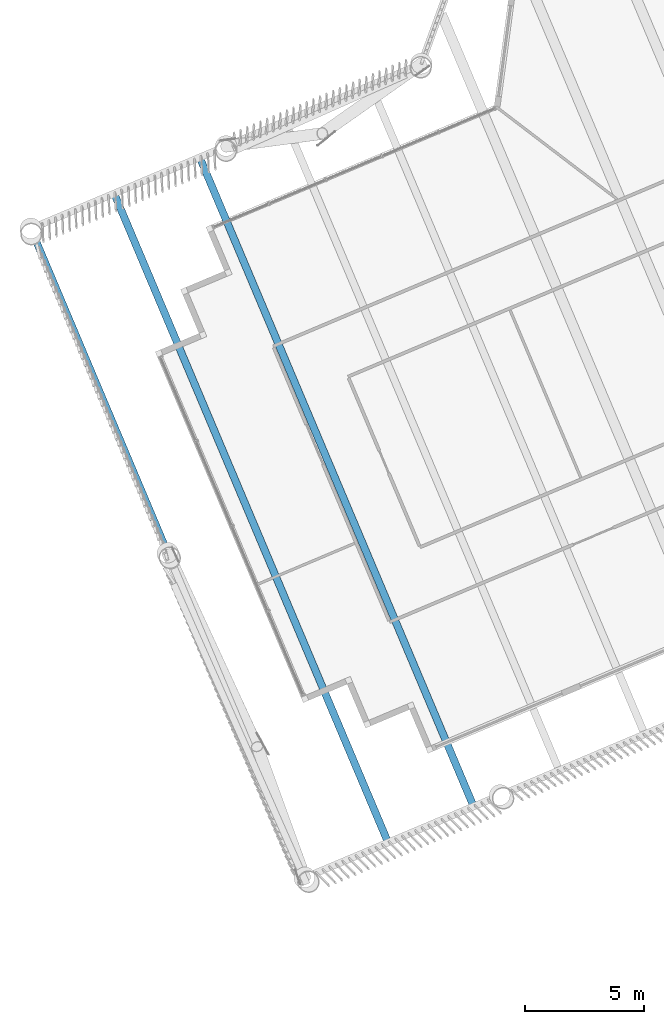
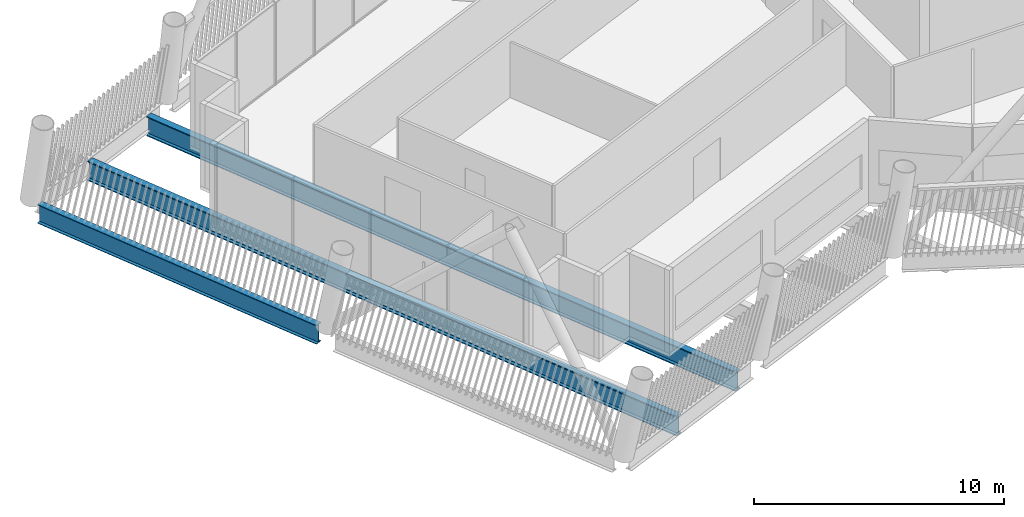
# One storey, part 5 of 35: 3 beams.
"""IFC4 building model written with IfcOpenShell, lengths in metres."""

from ifc_helpers import new_model, si_unit, direction, frame, origin, origin_2d, place, context, subcontext, project, spatial, i_section, extrude, material, material_profile, profile_set, type_object, element, save


model = new_model("IFC4")

# Units and contexts
model_context = context("Model", 3, precision=1e-05, world=origin(), true_north=direction((0.0, 1.0)))
body_context = subcontext(model_context, "Body", "Model", "MODEL_VIEW")
ifc_project = project(units=[si_unit("LENGTHUNIT", "METRE"), si_unit("AREAUNIT", "SQUARE_METRE"), si_unit("VOLUMEUNIT", "CUBIC_METRE"), si_unit("PLANEANGLEUNIT", "RADIAN"), si_unit("MASSUNIT", "GRAM", prefix="KILO")], contexts=[model_context])

# Site, building, storey
site_placement = place(None, origin())
site = spatial("IfcSite", under=ifc_project, at=site_placement, CompositionType="ELEMENT")
building_placement = place(site_placement, origin())
building = spatial("IfcBuilding", under=site, at=building_placement, Name="Tarsis Ring Headquarters", CompositionType="ELEMENT")
storey_placement = place(building_placement, frame((0.0, 0.0, 377.60009765625)))
storey = spatial("IfcBuildingStorey", under=building, at=storey_placement, Name="L89", CompositionType="ELEMENT", Elevation=377.60009765625)

# Beams
ifc_material = material(Name="Structural steel S355", Category="steel")
ifc_material_profile_1 = material_profile(ifc_material, i_section(OverallWidth=0.309814453125, OverallDepth=0.949951171875, WebThickness=0.0244140625, FlangeThickness=0.0439453125, at=origin_2d()), Name="W36x256")
ifc_profile_set_1 = profile_set([ifc_material_profile_1], Name="Structural steel S355")
beam_type_1 = type_object("IfcBeamType", Name="FB Floor beam W36x256", PredefinedType="JOIST", material=ifc_profile_set_1)
beam_1_placement = place(storey_placement, frame((-38.072265625, -0.0595703125, -0.635009765625), z_axis=(0.388801402091, -0.921321588661, 0.0), x_axis=(0.921321588661, 0.388801402091, 0.0)))
element("IfcBeam", 1, at=beam_1_placement, inside=storey, type_object=beam_type_1, Name="Floor beam FB11", PredefinedType="JOIST", context=body_context, shape_type="SweptSolid", body=[
    extrude(i_section(OverallWidth=0.309814453125, OverallDepth=0.949951171875, WebThickness=0.0244140625, FlangeThickness=0.0439453125, at=origin_2d()), origin(), (0.0, 0.0, 1.0), 29.4951171875),
])
beam_2_placement = place(storey_placement, frame((-41.66552734375, -1.575927734375, -0.635009765625), z_axis=(0.388808428108, -0.921318623622, 0.0), x_axis=(0.921318623622, 0.388808428108, 0.0)))
element("IfcBeam", 2, at=beam_2_placement, inside=storey, type_object=beam_type_1, Name="Floor beam FB11", PredefinedType="JOIST", context=body_context, shape_type="SweptSolid", body=[
    extrude(i_section(OverallWidth=0.309814453125, OverallDepth=0.949951171875, WebThickness=0.0244140625, FlangeThickness=0.0439453125, at=origin_2d()), origin(), (0.0, 0.0, 1.0), 29.495361328125),
])
ifc_material_profile_2 = material_profile(ifc_material, i_section(OverallWidth=0.3046875, OverallDepth=0.91943359375, WebThickness=0.017333984375, FlangeThickness=0.02783203125, at=origin_2d()), Name="W36x170")
ifc_profile_set_2 = profile_set([ifc_material_profile_2], Name="Structural steel S355")
beam_type_2 = type_object("IfcBeamType", Name="XG Ring girder W36x170", PredefinedType="BEAM", material=ifc_profile_set_2)
beam_3_placement = place(storey_placement, frame((-45.02685546875, -3.38427734375, -0.4599609375), z_axis=(0.38880105589, -0.921321734759, 0.0), x_axis=(0.921321734759, 0.38880105589, 0.0)))
element("IfcBeam", 3, at=beam_3_placement, inside=storey, type_object=beam_type_2, Name="Ring girder XG4", PredefinedType="BEAM", context=body_context, shape_type="SweptSolid", body=[
    extrude(i_section(OverallWidth=0.3046875, OverallDepth=0.91943359375, WebThickness=0.017333984375, FlangeThickness=0.02783203125, at=origin_2d()), origin(), (0.0, 0.0, 1.0), 13.97705078125),
])

save(model, "model.ifc")
